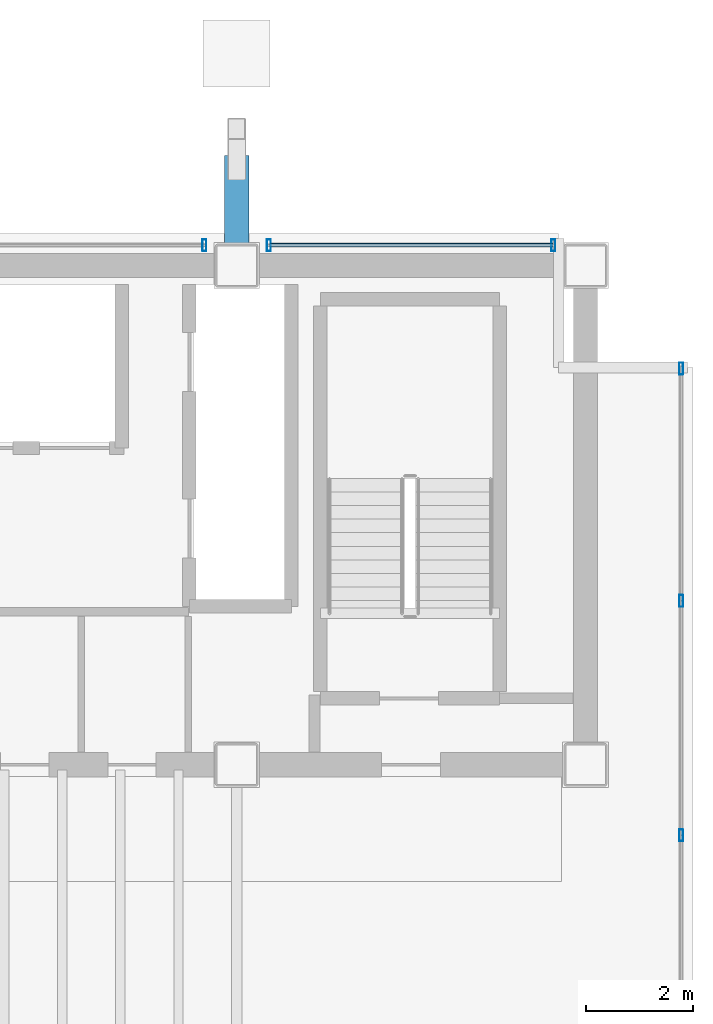
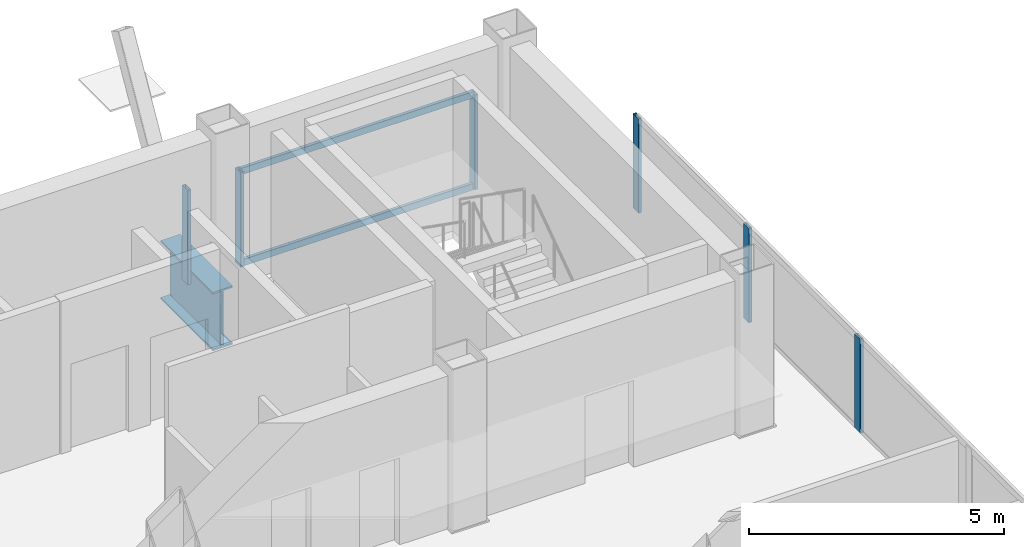
# One storey, part 12 of 16: 8 members, 1 beam, 3 elements without a shape of their own.
"""IFC4 building model written with IfcOpenShell, lengths in metres."""

from ifc_helpers import new_model, si_unit, direction, frame, origin, origin_2d, place, context, subcontext, project, spatial, hollow_rectangle, i_section, extrude, material, material_profile, profile_set, type_object, element, aggregate, save


model = new_model("IFC4")

# Units and contexts
model_context = context("Model", 3, precision=1e-05, world=origin(), true_north=direction((0.0, 1.0)))
body_context = subcontext(model_context, "Body", "Model", "MODEL_VIEW")
ifc_project = project(units=[si_unit("LENGTHUNIT", "METRE"), si_unit("AREAUNIT", "SQUARE_METRE"), si_unit("VOLUMEUNIT", "CUBIC_METRE"), si_unit("PLANEANGLEUNIT", "RADIAN"), si_unit("MASSUNIT", "GRAM", prefix="KILO")], contexts=[model_context])

# Site, building, storey
site_placement = place(None, origin())
site = spatial("IfcSite", under=ifc_project, at=site_placement, CompositionType="ELEMENT")
building_placement = place(site_placement, origin())
building = spatial("IfcBuilding", under=site, at=building_placement, Name="Noeulbin Bourse Tower", CompositionType="ELEMENT")
storey_placement = place(building_placement, frame((0.0, 0.0, 254.0)))
storey = spatial("IfcBuildingStorey", under=building, at=storey_placement, Name="L63", CompositionType="ELEMENT", Elevation=254.0)

# Beam
ifc_material_1 = material(Name="Steel S460", Category="steel")
ifc_material_profile_1 = material_profile(ifc_material_1, i_section(OverallWidth=0.449951171875, OverallDepth=1.39990234375, WebThickness=0.02392578125, FlangeThickness=0.0400390625, FilletRadius=0.02392578125, at=origin_2d()), Name="PG-1400x450x24x40", Category="LoadBearing")
ifc_profile_set_1 = profile_set([ifc_material_profile_1], Name="Steel S460")
beam_type = type_object("IfcBeamType", Name="BM-TRF-1400", PredefinedType="USERDEFINED", material=ifc_profile_set_1)
beam_placement = place(storey_placement, frame((37.5, 38.300048828125, -0.8798828125), z_axis=(0.0, 1.0, 0.0), x_axis=(-1.0, 0.0, 0.0)))
element("IfcBeam", 1, at=beam_placement, inside=storey, type_object=beam_type, Name="Transfer Outrigger Corbel L63-04", ObjectType="GIRDER", PredefinedType="USERDEFINED", context=body_context, shape_type="SweptSolid", body=[
    extrude(i_section(OverallWidth=0.449951171875, OverallDepth=1.39990234375, WebThickness=0.02392578125, FlangeThickness=0.0400390625, FilletRadius=0.02392578125, at=origin_2d()), origin(), (0.0, 0.0, 1.0), 2.050048828125),
])

# Curtain wall, member
ifc_material_2 = material(Name="High-Selectivity Low-Iron Glazing", Category="glass")
curtain_wall_type = type_object("IfcCurtainWallType", Name="CW-SYS-4", PredefinedType="NOTDEFINED", material=ifc_material_2)
curtain_wall_1_placement = place(storey_placement, origin())
curtain_wall_1 = element("IfcCurtainWall", 2, at=curtain_wall_1_placement, inside=storey, type_object=curtain_wall_type, Name="Unitised Curtain Wall CW-L63-N-S5", PredefinedType="NOTDEFINED")
ifc_material_3 = material(Name="Anodised Aluminium 6063-T6", Category="aluminium")
ifc_material_profile_2 = material_profile(ifc_material_3, hollow_rectangle(XDim=0.074951171875, YDim=0.219970703125, WallThickness=0.0048828125, InnerFilletRadius=0.00244140625, OuterFilletRadius=0.0048828125, at=origin_2d()), Name="ALU-MULL-75x220x5", Category="LoadBearing")
ifc_profile_set_2 = profile_set([ifc_material_profile_2], Name="Anodised Aluminium 6063-T6")
member_type_1 = type_object("IfcMemberType", Name="CW-SYS-4-MUL", PredefinedType="MULLION", material=ifc_profile_set_2)
member_1_placement = place(storey_placement, frame((36.89990234375, 38.679931640625, -0.02001953125), z_axis=(0.0, 0.0, 1.0), x_axis=(1.0, 0.0, 0.0)))
member_1 = element("IfcMember", 3, at=member_1_placement, type_object=member_type_1, Name="Curtain Wall Mullion CW-L63-N-S5-M01", PredefinedType="MULLION", context=body_context, shape_type="SweptSolid", body=[
    extrude(hollow_rectangle(XDim=0.074951171875, YDim=0.219970703125, WallThickness=0.0048828125, InnerFilletRadius=0.00244140625, OuterFilletRadius=0.0048828125, at=origin_2d()), origin(), (0.0, 0.0, 1.0), 2.260009765625),
])
aggregate(curtain_wall_1, [member_1])

# Curtain wall, members
curtain_wall_2_placement = place(storey_placement, origin())
curtain_wall_2 = element("IfcCurtainWall", 4, at=curtain_wall_2_placement, inside=storey, type_object=curtain_wall_type, Name="Unitised Curtain Wall CW-L63-N-S6", PredefinedType="NOTDEFINED")
member_2_placement = place(storey_placement, frame((38.10009765625, 38.679931640625, -0.02001953125), z_axis=(0.0, 0.0, 1.0), x_axis=(1.0, 0.0, 0.0)))
member_2 = element("IfcMember", 5, at=member_2_placement, type_object=member_type_1, Name="Curtain Wall Mullion CW-L63-N-S6-M00", PredefinedType="MULLION", context=body_context, shape_type="SweptSolid", body=[
    extrude(hollow_rectangle(XDim=0.074951171875, YDim=0.219970703125, WallThickness=0.0048828125, InnerFilletRadius=0.00244140625, OuterFilletRadius=0.0048828125, at=origin_2d()), origin(), (0.0, 0.0, 1.0), 2.260009765625),
])
member_3_placement = place(storey_placement, frame((43.39990234375, 38.679931640625, -0.02001953125), z_axis=(0.0, 0.0, 1.0), x_axis=(1.0, 0.0, 0.0)))
member_3 = element("IfcMember", 6, at=member_3_placement, type_object=member_type_1, Name="Curtain Wall Mullion CW-L63-N-S6-M01", PredefinedType="MULLION", context=body_context, shape_type="SweptSolid", body=[
    extrude(hollow_rectangle(XDim=0.074951171875, YDim=0.219970703125, WallThickness=0.0048828125, InnerFilletRadius=0.00244140625, OuterFilletRadius=0.0048828125, at=origin_2d()), origin(), (0.0, 0.0, 1.0), 2.260009765625),
])

curtain_wall_3_placement = place(storey_placement, origin())
curtain_wall_3 = element("IfcCurtainWall", 7, at=curtain_wall_3_placement, inside=storey, type_object=curtain_wall_type, Name="Unitised Curtain Wall CW-L63-E", PredefinedType="NOTDEFINED")
member_4_placement = place(storey_placement, frame((45.780029296875, 27.68408203125, -0.02001953125), z_axis=(0.0, 0.0, 1.0), x_axis=(1.0, 0.0, 0.0)))
member_4 = element("IfcMember", 8, at=member_4_placement, type_object=member_type_1, Name="Curtain Wall Mullion CW-L63-E-M03", PredefinedType="MULLION", context=body_context, shape_type="SweptSolid", body=[
    extrude(hollow_rectangle(XDim=0.074951171875, YDim=0.219970703125, WallThickness=0.0048828125, InnerFilletRadius=0.00244140625, OuterFilletRadius=0.0048828125, at=origin_2d()), origin(), (0.0, 0.0, 1.0), 2.260009765625),
])
member_5_placement = place(storey_placement, frame((45.780029296875, 32.052001953125, -0.02001953125), z_axis=(0.0, 0.0, 1.0), x_axis=(1.0, 0.0, 0.0)))
member_5 = element("IfcMember", 9, at=member_5_placement, type_object=member_type_1, Name="Curtain Wall Mullion CW-L63-E-M04", PredefinedType="MULLION", context=body_context, shape_type="SweptSolid", body=[
    extrude(hollow_rectangle(XDim=0.074951171875, YDim=0.219970703125, WallThickness=0.0048828125, InnerFilletRadius=0.00244140625, OuterFilletRadius=0.0048828125, at=origin_2d()), origin(), (0.0, 0.0, 1.0), 2.260009765625),
])
member_6_placement = place(storey_placement, frame((45.780029296875, 36.3798828125, -0.02001953125), z_axis=(0.0, 0.0, 1.0), x_axis=(1.0, 0.0, 0.0)))
member_6 = element("IfcMember", 10, at=member_6_placement, type_object=member_type_1, Name="Curtain Wall Mullion CW-L63-E-M05", PredefinedType="MULLION", context=body_context, shape_type="SweptSolid", body=[
    extrude(hollow_rectangle(XDim=0.074951171875, YDim=0.219970703125, WallThickness=0.0048828125, InnerFilletRadius=0.00244140625, OuterFilletRadius=0.0048828125, at=origin_2d()), origin(), (0.0, 0.0, 1.0), 2.260009765625),
])
aggregate(curtain_wall_3, [member_4, member_5, member_6])

# Member
ifc_material_profile_3 = material_profile(ifc_material_3, hollow_rectangle(XDim=0.074951171875, YDim=0.159912109375, WallThickness=0.0048828125, InnerFilletRadius=0.00244140625, OuterFilletRadius=0.0048828125, at=origin_2d()), Name="ALU-TRAN-75x160x5", Category="LoadBearing")
ifc_profile_set_3 = profile_set([ifc_material_profile_3], Name="Anodised Aluminium 6063-T6")
member_type_2 = type_object("IfcMemberType", Name="CW-SYS-4-TRN", PredefinedType="USERDEFINED", material=ifc_profile_set_3)
member_7_placement = place(storey_placement, frame((38.110107421875, 38.679931640625, 0.010009765625), z_axis=(1.0, 0.0, 0.0), x_axis=(0.0, 1.0, 0.0)))
member_7 = element("IfcMember", 11, at=member_7_placement, type_object=member_type_2, Name="Curtain Wall Transom CW-L63-N-S6-T00", ObjectType="TRANSOM", PredefinedType="USERDEFINED", context=body_context, shape_type="SweptSolid", body=[
    extrude(hollow_rectangle(XDim=0.074951171875, YDim=0.159912109375, WallThickness=0.0048828125, InnerFilletRadius=0.00244140625, OuterFilletRadius=0.0048828125, at=origin_2d()), origin(), (0.0, 0.0, 1.0), 5.27978515625),
])

member_8_placement = place(storey_placement, frame((38.110107421875, 38.679931640625, 2.2099609375), z_axis=(1.0, 0.0, 0.0), x_axis=(0.0, 1.0, 0.0)))
member_8 = element("IfcMember", 12, at=member_8_placement, type_object=member_type_2, Name="Curtain Wall Transom CW-L63-N-S6-T01", ObjectType="TRANSOM", PredefinedType="USERDEFINED", context=body_context, shape_type="SweptSolid", body=[
    extrude(hollow_rectangle(XDim=0.074951171875, YDim=0.159912109375, WallThickness=0.0048828125, InnerFilletRadius=0.00244140625, OuterFilletRadius=0.0048828125, at=origin_2d()), origin(), (0.0, 0.0, 1.0), 5.27978515625),
])

aggregate(curtain_wall_2, [member_2, member_3, member_7, member_8])

save(model, "model.ifc")
